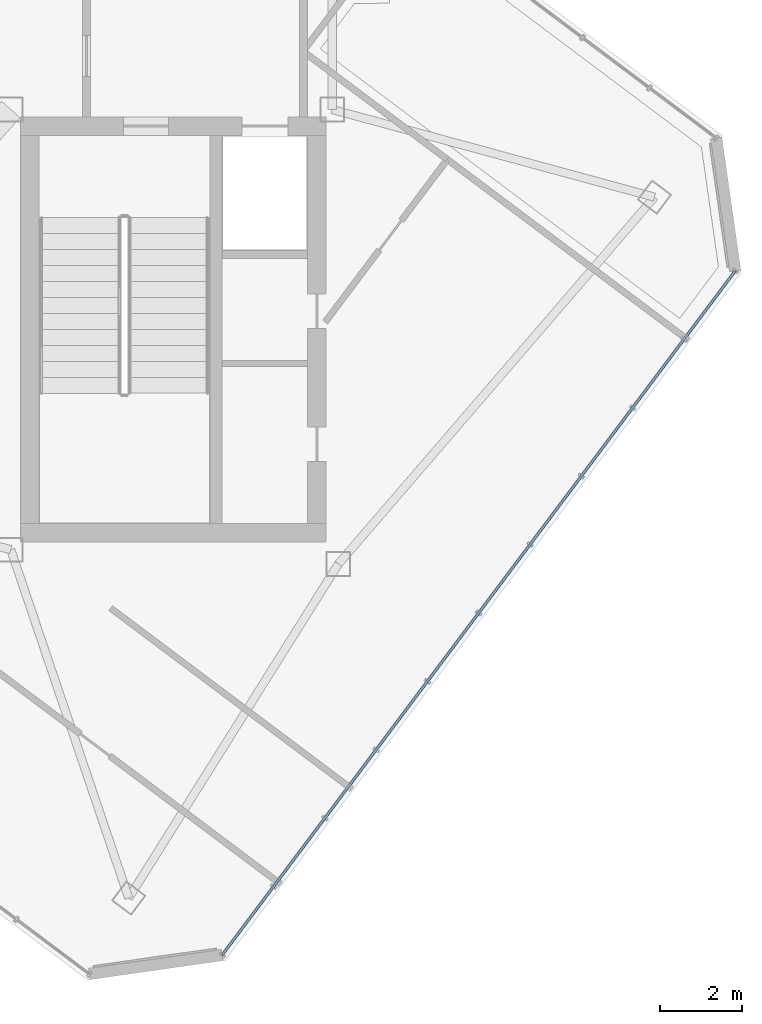
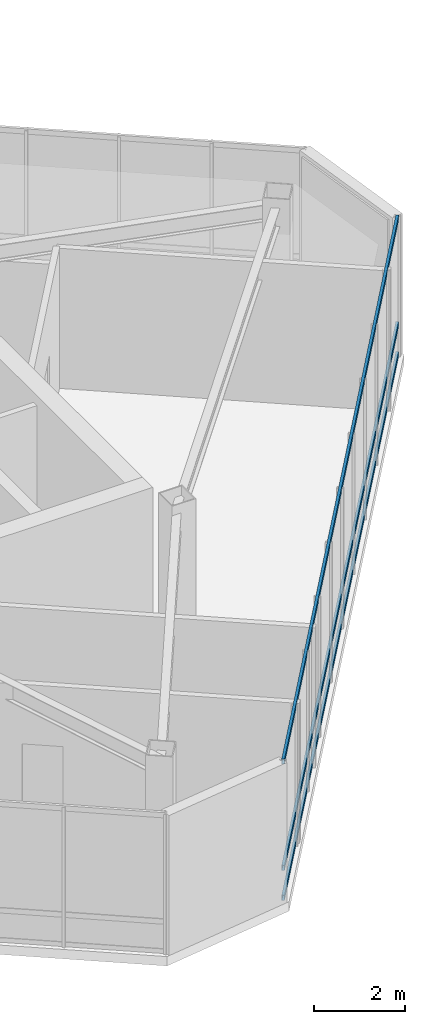
# One storey, part 9 of 29: 3 members, 1 element without a shape of its own.
"""IFC4 building model written with IfcOpenShell, lengths in metres."""

from ifc_helpers import new_model, si_unit, direction, frame, origin, origin_2d, place, context, subcontext, project, spatial, hollow_rectangle, extrude, material, layer, layer_set, material_profile, profile_set, type_object, element, aggregate, save


model = new_model("IFC4")

# Units and contexts
model_context = context("Model", 3, precision=1e-05, world=origin(), true_north=direction((0.0, 1.0)))
body_context = subcontext(model_context, "Body", "Model", "MODEL_VIEW")
ifc_project = project(units=[si_unit("LENGTHUNIT", "METRE"), si_unit("AREAUNIT", "SQUARE_METRE"), si_unit("VOLUMEUNIT", "CUBIC_METRE"), si_unit("PLANEANGLEUNIT", "RADIAN"), si_unit("MASSUNIT", "GRAM", prefix="KILO")], contexts=[model_context])

# Site, building, storey
site_placement = place(None, origin())
site = spatial("IfcSite", under=ifc_project, at=site_placement, CompositionType="ELEMENT")
building_placement = place(site_placement, origin())
building = spatial("IfcBuilding", under=site, at=building_placement, Name="Hatsunagi Terrace Concourse", CompositionType="ELEMENT")
storey_placement = place(building_placement, frame((0.0, 0.0, 277.949951171875)))
storey = spatial("IfcBuildingStorey", under=building, at=storey_placement, Name="L73", CompositionType="ELEMENT", Elevation=277.949951171875)

# Curtain wall, members
ifc_material_1 = material(Name="Anodised Aluminium Alloy 6063-T5", Category="aluminium")
ifc_layer = layer(ifc_material_1, 0.199951171875)
ifc_layer_set = layer_set([ifc_layer], Name="CrownWintergarden_CW06")
curtain_wall_type = type_object("IfcCurtainWallType", Name="CrownWintergarden_CW06", PredefinedType="NOTDEFINED", material=ifc_layer_set)
curtain_wall_placement = place(storey_placement, origin())
curtain_wall = element("IfcCurtainWall", 1, at=curtain_wall_placement, inside=storey, type_object=curtain_wall_type, Name="Unitised Curtain Wall CW-06 CW-L73-03", PredefinedType="NOTDEFINED")
ifc_material_2 = material(Name="Anodised Aluminium Alloy 6063-T5", Category="aluminium")
ifc_material_profile = material_profile(ifc_material_2, hollow_rectangle(XDim=0.06494140625, YDim=0.139892578125, WallThickness=0.00390625, at=origin_2d()), Name="ALU-TRN-140x65x4")
ifc_profile_set = profile_set([ifc_material_profile], Name="Anodised Aluminium Alloy 6063-T5")
member_type = type_object("IfcMemberType", Name="CurtainWallTransom_140x65", PredefinedType="USERDEFINED", material=ifc_profile_set)
member_1_placement = place(storey_placement, frame((53.492919921875, 31.35791015625, 0.050048828125), z_axis=(-0.599970072971, -0.800022444397, 0.0), x_axis=(0.800022444397, -0.599970072971, 0.0)))
member_1 = element("IfcMember", 2, at=member_1_placement, type_object=member_type, Name="Curtain Wall Transom TRN-02", ObjectType="TRANSOM", PredefinedType="USERDEFINED", context=body_context, shape_type="SweptSolid", body=[
    extrude(hollow_rectangle(XDim=0.06494140625, YDim=0.139892578125, WallThickness=0.00390625, at=origin_2d()), origin(), (0.0, 0.0, 1.0), 20.884521484375),
])
member_2_placement = place(storey_placement, frame((53.492919921875, 31.35791015625, 0.85009765625), z_axis=(-0.599970072971, -0.800022444397, 0.0), x_axis=(0.800022444397, -0.599970072971, 0.0)))
member_2 = element("IfcMember", 3, at=member_2_placement, type_object=member_type, Name="Curtain Wall Transom TRN-02", ObjectType="TRANSOM", PredefinedType="USERDEFINED", context=body_context, shape_type="SweptSolid", body=[
    extrude(hollow_rectangle(XDim=0.06494140625, YDim=0.139892578125, WallThickness=0.00390625, at=origin_2d()), origin(), (0.0, 0.0, 1.0), 20.884521484375),
])
member_3_placement = place(storey_placement, frame((53.492919921875, 31.35791015625, 3.68994140625), z_axis=(-0.599970072971, -0.800022444397, 0.0), x_axis=(0.800022444397, -0.599970072971, 0.0)))
member_3 = element("IfcMember", 4, at=member_3_placement, type_object=member_type, Name="Curtain Wall Transom TRN-02", ObjectType="TRANSOM", PredefinedType="USERDEFINED", context=body_context, shape_type="SweptSolid", body=[
    extrude(hollow_rectangle(XDim=0.06494140625, YDim=0.139892578125, WallThickness=0.00390625, at=origin_2d()), origin(), (0.0, 0.0, 1.0), 20.884521484375),
])
aggregate(curtain_wall, [member_1, member_2, member_3])

save(model, "model.ifc")
